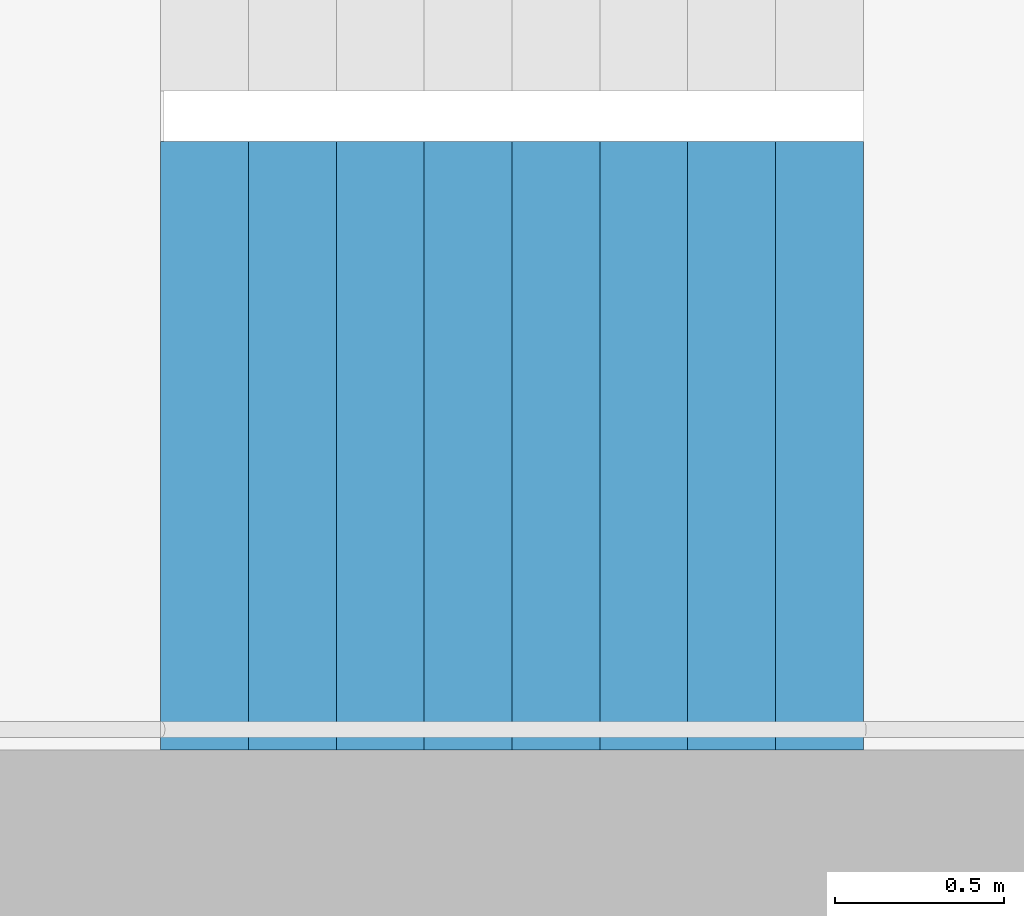
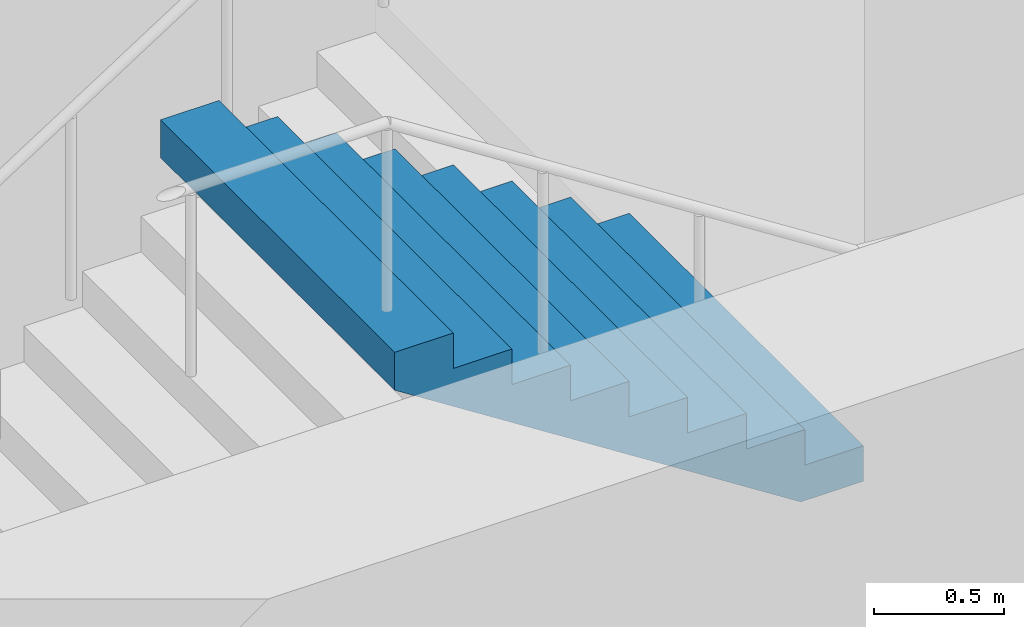
# One storey, part 63 of 100: 1 stair flight, 1 element without a shape of its own.
"""IFC4 building model written with IfcOpenShell, lengths in metres."""

from ifc_helpers import new_model, si_unit, direction, frame, origin, place, context, subcontext, project, spatial, triangles, material, type_object, element, aggregate, save


model = new_model("IFC4")

# Units and contexts
model_context = context("Model", 3, precision=1e-05, world=origin(), true_north=direction((0.0, 1.0)))
body_context = subcontext(model_context, "Body", "Model", "MODEL_VIEW")
ifc_project = project(units=[si_unit("LENGTHUNIT", "METRE"), si_unit("AREAUNIT", "SQUARE_METRE"), si_unit("VOLUMEUNIT", "CUBIC_METRE"), si_unit("PLANEANGLEUNIT", "RADIAN"), si_unit("MASSUNIT", "GRAM", prefix="KILO")], contexts=[model_context])

# Site, building, storey
site_placement = place(None, origin())
site = spatial("IfcSite", under=ifc_project, at=site_placement, CompositionType="ELEMENT")
building_placement = place(site_placement, origin())
building = spatial("IfcBuilding", under=site, at=building_placement, Name="Hakoniwa Tower and Hamabe Station Hall", CompositionType="ELEMENT")
storey_placement = place(building_placement, frame((0.0, 0.0, 9.0)))
storey = spatial("IfcBuildingStorey", under=building, at=storey_placement, Name="L02", CompositionType="ELEMENT", Elevation=9.0)

# Stair, stair flight
ifc_material_1 = material(Name="Concrete C40", Category="concrete")
stair_type = type_object("IfcStairType", Name="ESCAPE STAIR 1800", PredefinedType="HALF_TURN_STAIR", material=ifc_material_1)
stair_placement = place(storey_placement, origin())
stair = element("IfcStair", 1, at=stair_placement, inside=storey, type_object=stair_type, Name="Escape stair ST-4 L02", PredefinedType="HALF_TURN_STAIR")
ifc_material_2 = material(Name="Concrete C40", Category="concrete")
stair_flight_type = type_object("IfcStairFlightType", Name="STAIR FLIGHT 1800", PredefinedType="STRAIGHT", material=ifc_material_2)
stair_flight_placement = place(storey_placement, frame((25.47998046875, -6.60009765625, 4.5), z_axis=(0.0, 0.0, 1.0), x_axis=(-1.0, 0.0, 0.0)))
stair_flight = element("IfcStairFlight", 2, at=stair_flight_placement, type_object=stair_flight_type, Name="ST-4 flight 4", NumberOfRisers=9, NumberOfTreads=8, PredefinedType="STRAIGHT", RiserHeight=0.166666667, TreadLength=0.26, context=body_context, shape_type="Tessellation", body=[
    triangles([(0.0, 0.89990234375, 0.0), (0.260009765625, 0.89990234375, 0.0), (0.27783203125, 0.89990234375, 0.0), (0.52001953125, 0.89990234375, 0.1552734375), (0.780029296875, 0.89990234375, 0.322021484375), (1.0400390625, 0.89990234375, 0.488525390625), (1.300048828125, 0.89990234375, 0.6552734375), (1.56005859375, 0.89990234375, 0.822021484375), (1.820068359375, 0.89990234375, 0.988525390625), (2.080078125, 0.89990234375, 1.1552734375), (2.080078125, 0.89990234375, 1.333251953125), (1.820068359375, 0.89990234375, 1.333251953125), (1.820068359375, 0.89990234375, 1.166748046875), (1.56005859375, 0.89990234375, 1.166748046875), (1.56005859375, 0.89990234375, 1.0), (1.300048828125, 0.89990234375, 1.0), (1.300048828125, 0.89990234375, 0.833251953125), (1.0400390625, 0.89990234375, 0.833251953125), (1.0400390625, 0.89990234375, 0.666748046875), (0.780029296875, 0.89990234375, 0.666748046875), (0.780029296875, 0.89990234375, 0.5), (0.52001953125, 0.89990234375, 0.5), (0.52001953125, 0.89990234375, 0.333251953125), (0.27783203125, 0.89990234375, 0.333251953125), (0.260009765625, 0.89990234375, 0.333251953125), (0.260009765625, 0.89990234375, 0.166748046875), (0.0, 0.89990234375, 0.166748046875), (0.0, 0.06005859375, 0.0), (0.260009765625, 0.06005859375, 0.0), (0.27783203125, 0.06005859375, 0.0), (0.52001953125, 0.06005859375, 0.1552734375), (0.780029296875, 0.06005859375, 0.322021484375), (1.0400390625, 0.06005859375, 0.488525390625), (1.300048828125, 0.06005859375, 0.6552734375), (1.56005859375, 0.06005859375, 0.822021484375), (1.820068359375, 0.06005859375, 0.988525390625), (2.080078125, 0.06005859375, 1.1552734375), (2.080078125, 0.06005859375, 1.333251953125), (1.820068359375, 0.06005859375, 1.333251953125), (1.820068359375, 0.06005859375, 1.166748046875), (1.56005859375, 0.06005859375, 1.166748046875), (1.56005859375, 0.06005859375, 1.0), (1.300048828125, 0.06005859375, 1.0), (1.300048828125, 0.06005859375, 0.833251953125), (1.0400390625, 0.06005859375, 0.833251953125), (1.0400390625, 0.06005859375, 0.666748046875), (0.780029296875, 0.06005859375, 0.666748046875), (0.780029296875, 0.06005859375, 0.5), (0.52001953125, 0.06005859375, 0.5), (0.52001953125, 0.06005859375, 0.333251953125), (0.27783203125, 0.06005859375, 0.333251953125), (0.260009765625, 0.06005859375, 0.333251953125), (0.260009765625, 0.06005859375, 0.166748046875), (0.0, 0.06005859375, 0.166748046875), (0.0, 0.04296875, 0.0), (0.260009765625, 0.04296875, 0.0), (0.27783203125, 0.04296875, 0.0), (0.52001953125, 0.04296875, 0.1552734375), (0.780029296875, 0.04296875, 0.322021484375), (1.0400390625, 0.04296875, 0.488525390625), (1.300048828125, 0.04296875, 0.6552734375), (1.56005859375, 0.04296875, 0.822021484375), (1.820068359375, 0.04296875, 0.988525390625), (2.080078125, 0.04296875, 1.1552734375), (2.080078125, 0.04296875, 1.333251953125), (1.820068359375, 0.04296875, 1.333251953125), (1.820068359375, 0.04296875, 1.166748046875), (1.56005859375, 0.04296875, 1.166748046875), (1.56005859375, 0.04296875, 1.0), (1.300048828125, 0.04296875, 1.0), (1.300048828125, 0.04296875, 0.833251953125), (1.0400390625, 0.04296875, 0.833251953125), (1.0400390625, 0.04296875, 0.666748046875), (0.780029296875, 0.04296875, 0.666748046875), (0.780029296875, 0.04296875, 0.5), (0.52001953125, 0.04296875, 0.5), (0.52001953125, 0.04296875, 0.333251953125), (0.27783203125, 0.04296875, 0.333251953125), (0.260009765625, 0.04296875, 0.333251953125), (0.260009765625, 0.04296875, 0.166748046875), (0.0, 0.04296875, 0.166748046875), (0.0, 0.025634765625, 0.0), (0.260009765625, 0.025634765625, 0.0), (0.27783203125, 0.025634765625, 0.0), (0.52001953125, 0.025634765625, 0.1552734375), (0.780029296875, 0.025634765625, 0.322021484375), (1.0400390625, 0.025634765625, 0.488525390625), (1.300048828125, 0.025634765625, 0.6552734375), (1.56005859375, 0.025634765625, 0.822021484375), (1.820068359375, 0.025634765625, 0.988525390625), (2.080078125, 0.025634765625, 1.1552734375), (2.080078125, 0.025634765625, 1.333251953125), (1.820068359375, 0.025634765625, 1.333251953125), (1.820068359375, 0.025634765625, 1.166748046875), (1.56005859375, 0.025634765625, 1.166748046875), (1.56005859375, 0.025634765625, 1.0), (1.300048828125, 0.025634765625, 1.0), (1.300048828125, 0.025634765625, 0.833251953125), (1.0400390625, 0.025634765625, 0.833251953125), (1.0400390625, 0.025634765625, 0.666748046875), (0.780029296875, 0.025634765625, 0.666748046875), (0.780029296875, 0.025634765625, 0.5), (0.52001953125, 0.025634765625, 0.5), (0.52001953125, 0.025634765625, 0.333251953125), (0.27783203125, 0.025634765625, 0.333251953125), (0.260009765625, 0.025634765625, 0.333251953125), (0.260009765625, 0.025634765625, 0.166748046875), (0.0, 0.025634765625, 0.166748046875), (0.0, 0.008544921875, 0.0), (0.260009765625, 0.008544921875, 0.0), (0.27783203125, 0.008544921875, 0.0), (0.52001953125, 0.008544921875, 0.1552734375), (0.780029296875, 0.008544921875, 0.322021484375), (1.0400390625, 0.008544921875, 0.488525390625), (1.300048828125, 0.008544921875, 0.6552734375), (1.56005859375, 0.008544921875, 0.822021484375), (1.820068359375, 0.008544921875, 0.988525390625), (2.080078125, 0.008544921875, 1.1552734375), (2.080078125, 0.008544921875, 1.333251953125), (1.820068359375, 0.008544921875, 1.333251953125), (1.820068359375, 0.008544921875, 1.166748046875), (1.56005859375, 0.008544921875, 1.166748046875), (1.56005859375, 0.008544921875, 1.0), (1.300048828125, 0.008544921875, 1.0), (1.300048828125, 0.008544921875, 0.833251953125), (1.0400390625, 0.008544921875, 0.833251953125), (1.0400390625, 0.008544921875, 0.666748046875), (0.780029296875, 0.008544921875, 0.666748046875), (0.780029296875, 0.008544921875, 0.5), (0.52001953125, 0.008544921875, 0.5), (0.52001953125, 0.008544921875, 0.333251953125), (0.27783203125, 0.008544921875, 0.333251953125), (0.260009765625, 0.008544921875, 0.333251953125), (0.260009765625, 0.008544921875, 0.166748046875), (0.0, 0.008544921875, 0.166748046875), (0.0, -0.008544921875, 0.0), (0.260009765625, -0.008544921875, 0.0), (0.27783203125, -0.008544921875, 0.0), (0.52001953125, -0.008544921875, 0.1552734375), (0.780029296875, -0.008544921875, 0.322021484375), (1.0400390625, -0.008544921875, 0.488525390625), (1.300048828125, -0.008544921875, 0.6552734375), (1.56005859375, -0.008544921875, 0.822021484375), (1.820068359375, -0.008544921875, 0.988525390625), (2.080078125, -0.008544921875, 1.1552734375), (2.080078125, -0.008544921875, 1.333251953125), (1.820068359375, -0.008544921875, 1.333251953125), (1.820068359375, -0.008544921875, 1.166748046875), (1.56005859375, -0.008544921875, 1.166748046875), (1.56005859375, -0.008544921875, 1.0), (1.300048828125, -0.008544921875, 1.0), (1.300048828125, -0.008544921875, 0.833251953125), (1.0400390625, -0.008544921875, 0.833251953125), (1.0400390625, -0.008544921875, 0.666748046875), (0.780029296875, -0.008544921875, 0.666748046875), (0.780029296875, -0.008544921875, 0.5), (0.52001953125, -0.008544921875, 0.5), (0.52001953125, -0.008544921875, 0.333251953125), (0.27783203125, -0.008544921875, 0.333251953125), (0.260009765625, -0.008544921875, 0.333251953125), (0.260009765625, -0.008544921875, 0.166748046875), (0.0, -0.008544921875, 0.166748046875), (0.0, -0.025634765625, 0.0), (0.260009765625, -0.025634765625, 0.0), (0.27783203125, -0.025634765625, 0.0), (0.52001953125, -0.025634765625, 0.1552734375), (0.780029296875, -0.025634765625, 0.322021484375), (1.0400390625, -0.025634765625, 0.488525390625), (1.300048828125, -0.025634765625, 0.6552734375), (1.56005859375, -0.025634765625, 0.822021484375), (1.820068359375, -0.025634765625, 0.988525390625), (2.080078125, -0.025634765625, 1.1552734375), (2.080078125, -0.025634765625, 1.333251953125), (1.820068359375, -0.025634765625, 1.333251953125), (1.820068359375, -0.025634765625, 1.166748046875), (1.56005859375, -0.025634765625, 1.166748046875), (1.56005859375, -0.025634765625, 1.0), (1.300048828125, -0.025634765625, 1.0), (1.300048828125, -0.025634765625, 0.833251953125), (1.0400390625, -0.025634765625, 0.833251953125), (1.0400390625, -0.025634765625, 0.666748046875), (0.780029296875, -0.025634765625, 0.666748046875), (0.780029296875, -0.025634765625, 0.5), (0.52001953125, -0.025634765625, 0.5), (0.52001953125, -0.025634765625, 0.333251953125), (0.27783203125, -0.025634765625, 0.333251953125), (0.260009765625, -0.025634765625, 0.333251953125), (0.260009765625, -0.025634765625, 0.166748046875), (0.0, -0.025634765625, 0.166748046875), (0.0, -0.04296875, 0.0), (0.260009765625, -0.04296875, 0.0), (0.27783203125, -0.04296875, 0.0), (0.52001953125, -0.04296875, 0.1552734375), (0.780029296875, -0.04296875, 0.322021484375), (1.0400390625, -0.04296875, 0.488525390625), (1.300048828125, -0.04296875, 0.6552734375), (1.56005859375, -0.04296875, 0.822021484375), (1.820068359375, -0.04296875, 0.988525390625), (2.080078125, -0.04296875, 1.1552734375), (2.080078125, -0.04296875, 1.333251953125), (1.820068359375, -0.04296875, 1.333251953125), (1.820068359375, -0.04296875, 1.166748046875), (1.56005859375, -0.04296875, 1.166748046875), (1.56005859375, -0.04296875, 1.0), (1.300048828125, -0.04296875, 1.0), (1.300048828125, -0.04296875, 0.833251953125), (1.0400390625, -0.04296875, 0.833251953125), (1.0400390625, -0.04296875, 0.666748046875), (0.780029296875, -0.04296875, 0.666748046875), (0.780029296875, -0.04296875, 0.5), (0.52001953125, -0.04296875, 0.5), (0.52001953125, -0.04296875, 0.333251953125), (0.27783203125, -0.04296875, 0.333251953125), (0.260009765625, -0.04296875, 0.333251953125), (0.260009765625, -0.04296875, 0.166748046875), (0.0, -0.04296875, 0.166748046875), (0.0, -0.06005859375, 0.0), (0.260009765625, -0.06005859375, 0.0), (0.27783203125, -0.06005859375, 0.0), (0.52001953125, -0.06005859375, 0.1552734375), (0.780029296875, -0.06005859375, 0.322021484375), (1.0400390625, -0.06005859375, 0.488525390625), (1.300048828125, -0.06005859375, 0.6552734375), (1.56005859375, -0.06005859375, 0.822021484375), (1.820068359375, -0.06005859375, 0.988525390625), (2.080078125, -0.06005859375, 1.1552734375), (2.080078125, -0.06005859375, 1.333251953125), (1.820068359375, -0.06005859375, 1.333251953125), (1.820068359375, -0.06005859375, 1.166748046875), (1.56005859375, -0.06005859375, 1.166748046875), (1.56005859375, -0.06005859375, 1.0), (1.300048828125, -0.06005859375, 1.0), (1.300048828125, -0.06005859375, 0.833251953125), (1.0400390625, -0.06005859375, 0.833251953125), (1.0400390625, -0.06005859375, 0.666748046875), (0.780029296875, -0.06005859375, 0.666748046875), (0.780029296875, -0.06005859375, 0.5), (0.52001953125, -0.06005859375, 0.5), (0.52001953125, -0.06005859375, 0.333251953125), (0.27783203125, -0.06005859375, 0.333251953125), (0.260009765625, -0.06005859375, 0.333251953125), (0.260009765625, -0.06005859375, 0.166748046875), (0.0, -0.06005859375, 0.166748046875), (0.0, -0.89990234375, 0.0), (0.260009765625, -0.89990234375, 0.0), (0.27783203125, -0.89990234375, 0.0), (0.52001953125, -0.89990234375, 0.1552734375), (0.780029296875, -0.89990234375, 0.322021484375), (1.0400390625, -0.89990234375, 0.488525390625), (1.300048828125, -0.89990234375, 0.6552734375), (1.56005859375, -0.89990234375, 0.822021484375), (1.820068359375, -0.89990234375, 0.988525390625), (2.080078125, -0.89990234375, 1.1552734375), (2.080078125, -0.89990234375, 1.333251953125), (1.820068359375, -0.89990234375, 1.333251953125), (1.820068359375, -0.89990234375, 1.166748046875), (1.56005859375, -0.89990234375, 1.166748046875), (1.56005859375, -0.89990234375, 1.0), (1.300048828125, -0.89990234375, 1.0), (1.300048828125, -0.89990234375, 0.833251953125), (1.0400390625, -0.89990234375, 0.833251953125), (1.0400390625, -0.89990234375, 0.666748046875), (0.780029296875, -0.89990234375, 0.666748046875), (0.780029296875, -0.89990234375, 0.5), (0.52001953125, -0.89990234375, 0.5), (0.52001953125, -0.89990234375, 0.333251953125), (0.27783203125, -0.89990234375, 0.333251953125), (0.260009765625, -0.89990234375, 0.333251953125), (0.260009765625, -0.89990234375, 0.166748046875), (0.0, -0.89990234375, 0.166748046875)], [[2, 27, 26], [245, 269, 270], [2, 1, 27], [245, 270, 244], [3, 25, 24], [246, 267, 268], [3, 26, 25], [246, 268, 269], [3, 2, 26], [246, 269, 245], [4, 24, 23], [247, 266, 267], [4, 3, 24], [247, 267, 246], [5, 22, 21], [248, 264, 265], [5, 23, 22], [248, 265, 266], [5, 4, 23], [248, 266, 247], [6, 20, 19], [249, 262, 263], [6, 21, 20], [249, 263, 264], [6, 5, 21], [249, 264, 248], [7, 18, 17], [250, 260, 261], [7, 19, 18], [250, 261, 262], [7, 6, 19], [250, 262, 249], [8, 16, 15], [251, 258, 259], [8, 17, 16], [251, 259, 260], [8, 7, 17], [251, 260, 250], [9, 14, 13], [252, 256, 257], [9, 15, 14], [252, 257, 258], [9, 8, 15], [252, 258, 251], [10, 12, 11], [253, 254, 255], [10, 13, 12], [253, 255, 256], [10, 9, 13], [253, 256, 252], [1, 2, 29], [1, 29, 28], [28, 29, 56], [28, 56, 55], [55, 56, 83], [55, 83, 82], [82, 83, 110], [82, 110, 109], [109, 110, 137], [109, 137, 136], [136, 137, 164], [136, 164, 163], [163, 164, 191], [163, 191, 190], [190, 191, 218], [190, 218, 217], [217, 218, 245], [217, 245, 244], [2, 3, 30], [2, 30, 29], [29, 30, 57], [29, 57, 56], [56, 57, 84], [56, 84, 83], [83, 84, 111], [83, 111, 110], [110, 111, 138], [110, 138, 137], [137, 138, 165], [137, 165, 164], [164, 165, 192], [164, 192, 191], [191, 192, 219], [191, 219, 218], [218, 219, 246], [218, 246, 245], [3, 4, 31], [3, 31, 30], [30, 31, 58], [30, 58, 57], [57, 58, 85], [57, 85, 84], [84, 85, 112], [84, 112, 111], [111, 112, 139], [111, 139, 138], [138, 139, 166], [138, 166, 165], [165, 166, 193], [165, 193, 192], [192, 193, 220], [192, 220, 219], [219, 220, 247], [219, 247, 246], [4, 5, 32], [4, 32, 31], [31, 32, 59], [31, 59, 58], [58, 59, 86], [58, 86, 85], [85, 86, 113], [85, 113, 112], [112, 113, 140], [112, 140, 139], [139, 140, 167], [139, 167, 166], [166, 167, 194], [166, 194, 193], [193, 194, 221], [193, 221, 220], [220, 221, 248], [220, 248, 247], [5, 6, 33], [5, 33, 32], [32, 33, 60], [32, 60, 59], [59, 60, 87], [59, 87, 86], [86, 87, 114], [86, 114, 113], [113, 114, 141], [113, 141, 140], [140, 141, 168], [140, 168, 167], [167, 168, 195], [167, 195, 194], [194, 195, 222], [194, 222, 221], [221, 222, 249], [221, 249, 248], [6, 7, 34], [6, 34, 33], [33, 34, 61], [33, 61, 60], [60, 61, 88], [60, 88, 87], [87, 88, 115], [87, 115, 114], [114, 115, 142], [114, 142, 141], [141, 142, 169], [141, 169, 168], [168, 169, 196], [168, 196, 195], [195, 196, 223], [195, 223, 222], [222, 223, 250], [222, 250, 249], [7, 8, 35], [7, 35, 34], [34, 35, 62], [34, 62, 61], [61, 62, 89], [61, 89, 88], [88, 89, 116], [88, 116, 115], [115, 116, 143], [115, 143, 142], [142, 143, 170], [142, 170, 169], [169, 170, 197], [169, 197, 196], [196, 197, 224], [196, 224, 223], [223, 224, 251], [223, 251, 250], [8, 9, 36], [8, 36, 35], [35, 36, 63], [35, 63, 62], [62, 63, 90], [62, 90, 89], [89, 90, 117], [89, 117, 116], [116, 117, 144], [116, 144, 143], [143, 144, 171], [143, 171, 170], [170, 171, 198], [170, 198, 197], [197, 198, 225], [197, 225, 224], [224, 225, 252], [224, 252, 251], [9, 10, 37], [9, 37, 36], [36, 37, 64], [36, 64, 63], [63, 64, 91], [63, 91, 90], [90, 91, 118], [90, 118, 117], [117, 118, 145], [117, 145, 144], [144, 145, 172], [144, 172, 171], [171, 172, 199], [171, 199, 198], [198, 199, 226], [198, 226, 225], [225, 226, 253], [225, 253, 252], [10, 11, 38], [10, 38, 37], [37, 38, 65], [37, 65, 64], [64, 65, 92], [64, 92, 91], [91, 92, 119], [91, 119, 118], [118, 119, 146], [118, 146, 145], [145, 146, 173], [145, 173, 172], [172, 173, 200], [172, 200, 199], [199, 200, 227], [199, 227, 226], [226, 227, 254], [226, 254, 253], [11, 12, 39], [11, 39, 38], [38, 39, 66], [38, 66, 65], [65, 66, 93], [65, 93, 92], [92, 93, 120], [92, 120, 119], [119, 120, 147], [119, 147, 146], [146, 147, 174], [146, 174, 173], [173, 174, 201], [173, 201, 200], [200, 201, 228], [200, 228, 227], [227, 228, 255], [227, 255, 254], [12, 13, 40], [12, 40, 39], [39, 40, 67], [39, 67, 66], [66, 67, 94], [66, 94, 93], [93, 94, 121], [93, 121, 120], [120, 121, 148], [120, 148, 147], [147, 148, 175], [147, 175, 174], [174, 175, 202], [174, 202, 201], [201, 202, 229], [201, 229, 228], [228, 229, 256], [228, 256, 255], [13, 14, 41], [13, 41, 40], [40, 41, 68], [40, 68, 67], [67, 68, 95], [67, 95, 94], [94, 95, 122], [94, 122, 121], [121, 122, 149], [121, 149, 148], [148, 149, 176], [148, 176, 175], [175, 176, 203], [175, 203, 202], [202, 203, 230], [202, 230, 229], [229, 230, 257], [229, 257, 256], [14, 15, 42], [14, 42, 41], [41, 42, 69], [41, 69, 68], [68, 69, 96], [68, 96, 95], [95, 96, 123], [95, 123, 122], [122, 123, 150], [122, 150, 149], [149, 150, 177], [149, 177, 176], [176, 177, 204], [176, 204, 203], [203, 204, 231], [203, 231, 230], [230, 231, 258], [230, 258, 257], [15, 16, 43], [15, 43, 42], [42, 43, 70], [42, 70, 69], [69, 70, 97], [69, 97, 96], [96, 97, 124], [96, 124, 123], [123, 124, 151], [123, 151, 150], [150, 151, 178], [150, 178, 177], [177, 178, 205], [177, 205, 204], [204, 205, 232], [204, 232, 231], [231, 232, 259], [231, 259, 258], [16, 17, 44], [16, 44, 43], [43, 44, 71], [43, 71, 70], [70, 71, 98], [70, 98, 97], [97, 98, 125], [97, 125, 124], [124, 125, 152], [124, 152, 151], [151, 152, 179], [151, 179, 178], [178, 179, 206], [178, 206, 205], [205, 206, 233], [205, 233, 232], [232, 233, 260], [232, 260, 259], [17, 18, 45], [17, 45, 44], [44, 45, 72], [44, 72, 71], [71, 72, 99], [71, 99, 98], [98, 99, 126], [98, 126, 125], [125, 126, 153], [125, 153, 152], [152, 153, 180], [152, 180, 179], [179, 180, 207], [179, 207, 206], [206, 207, 234], [206, 234, 233], [233, 234, 261], [233, 261, 260], [18, 19, 46], [18, 46, 45], [45, 46, 73], [45, 73, 72], [72, 73, 100], [72, 100, 99], [99, 100, 127], [99, 127, 126], [126, 127, 154], [126, 154, 153], [153, 154, 181], [153, 181, 180], [180, 181, 208], [180, 208, 207], [207, 208, 235], [207, 235, 234], [234, 235, 262], [234, 262, 261], [19, 20, 47], [19, 47, 46], [46, 47, 74], [46, 74, 73], [73, 74, 101], [73, 101, 100], [100, 101, 128], [100, 128, 127], [127, 128, 155], [127, 155, 154], [154, 155, 182], [154, 182, 181], [181, 182, 209], [181, 209, 208], [208, 209, 236], [208, 236, 235], [235, 236, 263], [235, 263, 262], [20, 21, 48], [20, 48, 47], [47, 48, 75], [47, 75, 74], [74, 75, 102], [74, 102, 101], [101, 102, 129], [101, 129, 128], [128, 129, 156], [128, 156, 155], [155, 156, 183], [155, 183, 182], [182, 183, 210], [182, 210, 209], [209, 210, 237], [209, 237, 236], [236, 237, 264], [236, 264, 263], [21, 22, 49], [21, 49, 48], [48, 49, 76], [48, 76, 75], [75, 76, 103], [75, 103, 102], [102, 103, 130], [102, 130, 129], [129, 130, 157], [129, 157, 156], [156, 157, 184], [156, 184, 183], [183, 184, 211], [183, 211, 210], [210, 211, 238], [210, 238, 237], [237, 238, 265], [237, 265, 264], [22, 23, 50], [22, 50, 49], [49, 50, 77], [49, 77, 76], [76, 77, 104], [76, 104, 103], [103, 104, 131], [103, 131, 130], [130, 131, 158], [130, 158, 157], [157, 158, 185], [157, 185, 184], [184, 185, 212], [184, 212, 211], [211, 212, 239], [211, 239, 238], [238, 239, 266], [238, 266, 265], [23, 24, 51], [23, 51, 50], [50, 51, 78], [50, 78, 77], [77, 78, 105], [77, 105, 104], [104, 105, 132], [104, 132, 131], [131, 132, 159], [131, 159, 158], [158, 159, 186], [158, 186, 185], [185, 186, 213], [185, 213, 212], [212, 213, 240], [212, 240, 239], [239, 240, 267], [239, 267, 266], [24, 25, 52], [24, 52, 51], [51, 52, 79], [51, 79, 78], [78, 79, 106], [78, 106, 105], [105, 106, 133], [105, 133, 132], [132, 133, 160], [132, 160, 159], [159, 160, 187], [159, 187, 186], [186, 187, 214], [186, 214, 213], [213, 214, 241], [213, 241, 240], [240, 241, 268], [240, 268, 267], [25, 26, 53], [25, 53, 52], [52, 53, 80], [52, 80, 79], [79, 80, 107], [79, 107, 106], [106, 107, 134], [106, 134, 133], [133, 134, 161], [133, 161, 160], [160, 161, 188], [160, 188, 187], [187, 188, 215], [187, 215, 214], [214, 215, 242], [214, 242, 241], [241, 242, 269], [241, 269, 268], [26, 27, 54], [26, 54, 53], [53, 54, 81], [53, 81, 80], [80, 81, 108], [80, 108, 107], [107, 108, 135], [107, 135, 134], [134, 135, 162], [134, 162, 161], [161, 162, 189], [161, 189, 188], [188, 189, 216], [188, 216, 215], [215, 216, 243], [215, 243, 242], [242, 243, 270], [242, 270, 269], [27, 1, 28], [27, 28, 54], [54, 28, 55], [54, 55, 81], [81, 55, 82], [81, 82, 108], [108, 82, 109], [108, 109, 135], [135, 109, 136], [135, 136, 162], [162, 136, 163], [162, 163, 189], [189, 163, 190], [189, 190, 216], [216, 190, 217], [216, 217, 243], [243, 217, 244], [243, 244, 270]], closed=True),
])
aggregate(stair, [stair_flight])

save(model, "model.ifc")
